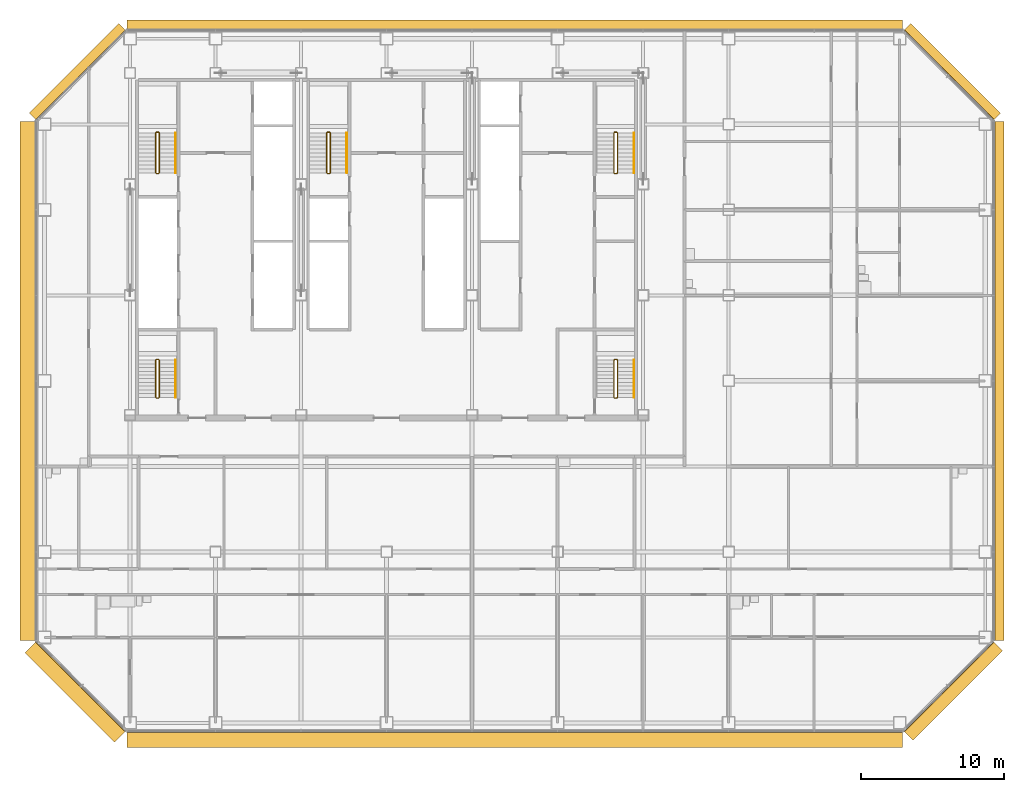
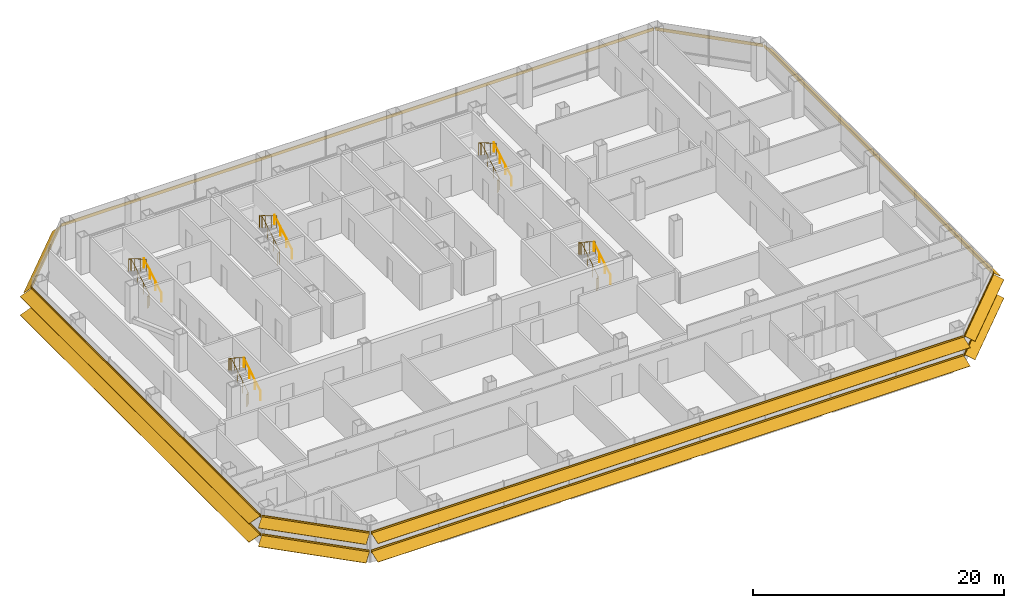
# One storey, part 26 of 27: 10 railings, 8 shading devices.
"""IFC4 building model written with IfcOpenShell, lengths in metres."""

from ifc_helpers import new_model, si_unit, direction, frame, origin, origin_2d, place, context, subcontext, project, spatial, polyline, circle, outline, composite_profile, extrude, material, type_object, element, save


model = new_model("IFC4")

# Units and contexts
model_context = context("Model", 3, precision=1e-05, world=origin(), true_north=direction((0.0, 1.0)))
body_context = subcontext(model_context, "Body", "Model", "MODEL_VIEW")
ifc_project = project(units=[si_unit("LENGTHUNIT", "METRE"), si_unit("AREAUNIT", "SQUARE_METRE"), si_unit("VOLUMEUNIT", "CUBIC_METRE"), si_unit("PLANEANGLEUNIT", "RADIAN"), si_unit("MASSUNIT", "GRAM", prefix="KILO")], contexts=[model_context])

# Site, building, storey
site_placement = place(None, origin())
site = spatial("IfcSite", under=ifc_project, at=site_placement, CompositionType="ELEMENT")
building_placement = place(site_placement, origin())
building = spatial("IfcBuilding", under=site, at=building_placement, Name="Sorahane Residences", CompositionType="ELEMENT")
storey_placement = place(building_placement, frame((0.0, 0.0, 75.0)))
storey = spatial("IfcBuildingStorey", under=building, at=storey_placement, Name="L15", CompositionType="ELEMENT", Elevation=75.0)

# Shading devices
ifc_material_1 = material(Name="Terracotta anodised aluminium", Category="masonry")
shading_device_type_1 = type_object("IfcShadingDeviceType", Name="Louvre sunshade blade E terracotta aluminium 700", PredefinedType="JALOUSIE", material=ifc_material_1)
shading_device_1_placement = place(storey_placement, frame((66.60009765625, 5.801513671875, 2.699951171875), z_axis=(0.0, 1.0, 0.0), x_axis=(-1.0, 0.0, 0.0)))
element("IfcShadingDevice", 1, at=shading_device_1_placement, inside=storey, type_object=shading_device_type_1, Name="Louvre sunshade blade bank E L15 E1", PredefinedType="JALOUSIE", context=body_context, shape_type="SweptSolid", body=[
    extrude(outline(polyline([(-0.719970703125, -0.49365234375), (-0.719970703125, -0.523681640625), (-0.080078125, -0.05859375), (-0.080078125, -0.14990234375), (-0.02001953125, -0.14990234375), (-0.02001953125, -0.014892578125), (-0.02001953125, 0.014892578125), (-0.02001953125, 0.14990234375), (-0.080078125, 0.14990234375), (-0.080078125, -0.028564453125), (-0.719970703125, -0.49365234375)])), origin(), (0.0, 0.0, 1.0), 36.39697265625),
])
ifc_material_2 = material(Name="Terracotta anodised aluminium", Category="masonry")
shading_device_type_2 = type_object("IfcShadingDeviceType", Name="Louvre sunshade blade N terracotta aluminium 700", PredefinedType="JALOUSIE", material=ifc_material_2)
shading_device_2_placement = place(storey_placement, frame((60.198486328125, 48.60009765625, 2.699951171875), z_axis=(-1.0, 0.0, 0.0), x_axis=(0.0, -1.0, 0.0)))
element("IfcShadingDevice", 2, at=shading_device_2_placement, inside=storey, type_object=shading_device_type_2, Name="Louvre sunshade blade bank N L15 N1", PredefinedType="JALOUSIE", context=body_context, shape_type="SweptSolid", body=[
    extrude(outline(polyline([(-0.719970703125, -0.660888671875), (-0.719970703125, -0.69091796875), (-0.080078125, -0.072998046875), (-0.080078125, -0.14990234375), (-0.02001953125, -0.14990234375), (-0.02001953125, -0.014892578125), (-0.02001953125, 0.014892578125), (-0.02001953125, 0.14990234375), (-0.080078125, 0.14990234375), (-0.080078125, -0.04296875), (-0.719970703125, -0.660888671875)])), origin(), (0.0, 0.0, 1.0), 54.39697265625),
])
ifc_material_3 = material(Name="Terracotta anodised aluminium", Category="masonry")
shading_device_type_3 = type_object("IfcShadingDeviceType", Name="Louvre sunshade blade NE terracotta aluminium 700", PredefinedType="JALOUSIE", material=ifc_material_3)
shading_device_3_placement = place(storey_placement, frame((66.564697265625, 42.283935546875, 2.699951171875), z_axis=(-0.707106781187, 0.707106781187, 0.0), x_axis=(-0.707106781187, -0.707106781187, 0.0)))
element("IfcShadingDevice", 3, at=shading_device_3_placement, inside=storey, type_object=shading_device_type_3, Name="Louvre sunshade blade bank NE L15 NE1", PredefinedType="JALOUSIE", context=body_context, shape_type="SweptSolid", body=[
    extrude(outline(polyline([(-0.719970703125, -0.572509765625), (-0.719970703125, -0.602294921875), (-0.080078125, -0.065185546875), (-0.080078125, -0.14990234375), (-0.02001953125, -0.14990234375), (-0.02001953125, -0.014892578125), (-0.02001953125, 0.014892578125), (-0.02001953125, 0.14990234375), (-0.080078125, 0.14990234375), (-0.080078125, -0.035400390625), (-0.719970703125, -0.572509765625)])), origin(), (0.0, 0.0, 1.0), 8.88232421875),
])
ifc_material_4 = material(Name="Terracotta anodised aluminium", Category="masonry")
shading_device_type_4 = type_object("IfcShadingDeviceType", Name="Louvre sunshade blade NW terracotta aluminium 700", PredefinedType="JALOUSIE", material=ifc_material_4)
shading_device_4_placement = place(storey_placement, frame((5.716064453125, 48.564697265625, 2.699951171875), z_axis=(-0.707106781187, -0.707106781187, 0.0), x_axis=(0.707106781187, -0.707106781187, 0.0)))
element("IfcShadingDevice", 4, at=shading_device_4_placement, inside=storey, type_object=shading_device_type_4, Name="Louvre sunshade blade bank NW L15 NW1", PredefinedType="JALOUSIE", context=body_context, shape_type="SweptSolid", body=[
    extrude(outline(polyline([(-0.719970703125, -0.660888671875), (-0.719970703125, -0.69091796875), (-0.080078125, -0.072998046875), (-0.080078125, -0.14990234375), (-0.02001953125, -0.14990234375), (-0.02001953125, -0.014892578125), (-0.02001953125, 0.014892578125), (-0.02001953125, 0.14990234375), (-0.080078125, 0.14990234375), (-0.080078125, -0.04296875), (-0.719970703125, -0.660888671875)])), origin(), (0.0, 0.0, 1.0), 8.88232421875),
])
ifc_material_5 = material(Name="Terracotta anodised aluminium", Category="masonry")
shading_device_type_5 = type_object("IfcShadingDeviceType", Name="Louvre sunshade blade S terracotta aluminium 1100", PredefinedType="JALOUSIE", material=ifc_material_5)
shading_device_5_placement = place(storey_placement, frame((5.801513671875, -0.60009765625, 0.89990234375), z_axis=(1.0, 0.0, 0.0), x_axis=(0.0, 1.0, 0.0)))
element("IfcShadingDevice", 5, at=shading_device_5_placement, inside=storey, type_object=shading_device_type_5, Name="Louvre sunshade blade bank S L15 S1", PredefinedType="JALOUSIE", context=body_context, shape_type="SweptSolid", body=[
    extrude(composite_profile([outline(polyline([(-1.1201171875, -0.385498046875), (-1.1201171875, -0.415283203125), (-0.080078125, -0.036865234375), (-0.080078125, -0.14990234375), (-0.02001953125, -0.14990234375), (-0.02001953125, -0.014892578125), (-0.02001953125, 0.014892578125), (-0.02001953125, 0.14990234375), (-0.080078125, 0.14990234375), (-0.080078125, -0.0068359375), (-1.1201171875, -0.385498046875)])), outline(polyline([(-1.1201171875, 1.41455078125), (-1.1201171875, 1.384521484375), (-0.080078125, 1.76318359375), (-0.080078125, 1.64990234375), (-0.02001953125, 1.64990234375), (-0.02001953125, 1.784912109375), (-0.02001953125, 1.81494140625), (-0.02001953125, 1.949951171875), (-0.080078125, 1.949951171875), (-0.080078125, 1.793212890625), (-1.1201171875, 1.41455078125)]))]), origin(), (0.0, 0.0, 1.0), 54.39697265625),
])
ifc_material_6 = material(Name="Terracotta anodised aluminium", Category="masonry")
shading_device_type_6 = type_object("IfcShadingDeviceType", Name="Louvre sunshade blade SE terracotta aluminium 900", PredefinedType="JALOUSIE", material=ifc_material_6)
shading_device_6_placement = place(storey_placement, frame((60.283935546875, -0.564697265625, 0.89990234375), z_axis=(0.707106781187, 0.707106781187, 0.0), x_axis=(-0.707106781187, 0.707106781187, 0.0)))
element("IfcShadingDevice", 6, at=shading_device_6_placement, inside=storey, type_object=shading_device_type_6, Name="Louvre sunshade blade bank SE L15 SE1", PredefinedType="JALOUSIE", context=body_context, shape_type="SweptSolid", body=[
    extrude(composite_profile([outline(polyline([(-0.919921875, -0.3486328125), (-0.919921875, -0.378662109375), (-0.080078125, -0.039306640625), (-0.080078125, -0.14990234375), (-0.02001953125, -0.14990234375), (-0.02001953125, -0.014892578125), (-0.02001953125, 0.014892578125), (-0.02001953125, 0.14990234375), (-0.080078125, 0.14990234375), (-0.080078125, -0.00927734375), (-0.919921875, -0.3486328125)])), outline(polyline([(-0.919921875, 1.451416015625), (-0.919921875, 1.42138671875), (-0.080078125, 1.7607421875), (-0.080078125, 1.64990234375), (-0.02001953125, 1.64990234375), (-0.02001953125, 1.784912109375), (-0.02001953125, 1.81494140625), (-0.02001953125, 1.949951171875), (-0.080078125, 1.949951171875), (-0.080078125, 1.790771484375), (-0.919921875, 1.451416015625)]))]), origin(), (0.0, 0.0, 1.0), 8.88232421875),
])
ifc_material_7 = material(Name="Terracotta anodised aluminium", Category="masonry")
shading_device_type_7 = type_object("IfcShadingDeviceType", Name="Louvre sunshade blade SW terracotta aluminium 1100", PredefinedType="JALOUSIE", material=ifc_material_7)
shading_device_7_placement = place(storey_placement, frame((-0.564697265625, 5.716064453125, 0.89990234375), z_axis=(0.707106781187, -0.707106781187, 0.0), x_axis=(0.707106781187, 0.707106781187, 0.0)))
element("IfcShadingDevice", 7, at=shading_device_7_placement, inside=storey, type_object=shading_device_type_7, Name="Louvre sunshade blade bank SW L15 SW1", PredefinedType="JALOUSIE", context=body_context, shape_type="SweptSolid", body=[
    extrude(composite_profile([outline(polyline([(-1.1201171875, -0.385498046875), (-1.1201171875, -0.415283203125), (-0.080078125, -0.036865234375), (-0.080078125, -0.14990234375), (-0.02001953125, -0.14990234375), (-0.02001953125, -0.014892578125), (-0.02001953125, 0.014892578125), (-0.02001953125, 0.14990234375), (-0.080078125, 0.14990234375), (-0.080078125, -0.0068359375), (-1.1201171875, -0.385498046875)])), outline(polyline([(-1.1201171875, 1.41455078125), (-1.1201171875, 1.384521484375), (-0.080078125, 1.76318359375), (-0.080078125, 1.64990234375), (-0.02001953125, 1.64990234375), (-0.02001953125, 1.784912109375), (-0.02001953125, 1.81494140625), (-0.02001953125, 1.949951171875), (-0.080078125, 1.949951171875), (-0.080078125, 1.793212890625), (-1.1201171875, 1.41455078125)]))]), origin(), (0.0, 0.0, 1.0), 8.88232421875),
])
ifc_material_8 = material(Name="Terracotta anodised aluminium", Category="masonry")
shading_device_type_8 = type_object("IfcShadingDeviceType", Name="Louvre sunshade blade W terracotta aluminium 1100", PredefinedType="JALOUSIE", material=ifc_material_8)
shading_device_8_placement = place(storey_placement, frame((-0.60009765625, 42.198486328125, 0.89990234375), z_axis=(0.0, -1.0, 0.0), x_axis=(1.0, 0.0, 0.0)))
element("IfcShadingDevice", 8, at=shading_device_8_placement, inside=storey, type_object=shading_device_type_8, Name="Louvre sunshade blade bank W L15 W1", PredefinedType="JALOUSIE", context=body_context, shape_type="SweptSolid", body=[
    extrude(composite_profile([outline(polyline([(-1.1201171875, -0.385498046875), (-1.1201171875, -0.415283203125), (-0.080078125, -0.036865234375), (-0.080078125, -0.14990234375), (-0.02001953125, -0.14990234375), (-0.02001953125, -0.014892578125), (-0.02001953125, 0.014892578125), (-0.02001953125, 0.14990234375), (-0.080078125, 0.14990234375), (-0.080078125, -0.0068359375), (-1.1201171875, -0.385498046875)])), outline(polyline([(-1.1201171875, 1.41455078125), (-1.1201171875, 1.384521484375), (-0.080078125, 1.76318359375), (-0.080078125, 1.64990234375), (-0.02001953125, 1.64990234375), (-0.02001953125, 1.784912109375), (-0.02001953125, 1.81494140625), (-0.02001953125, 1.949951171875), (-0.080078125, 1.949951171875), (-0.080078125, 1.793212890625), (-1.1201171875, 1.41455078125)]))]), origin(), (0.0, 0.0, 1.0), 36.39697265625),
])

# Railings
ifc_material_9 = material(Name="Steel Q355B", Category="steel")
railing_type_1 = type_object("IfcRailingType", Name="Stair guard 1200 Steel Q355B", PredefinedType="GUARDRAIL", material=ifc_material_9)
railing_1_placement = place(storey_placement, frame((7.85009765625, 38.550048828125, 0.0)))
element("IfcRailing", 9, at=railing_1_placement, inside=storey, type_object=railing_type_1, Name="L15 S1 stair guard 1", PredefinedType="GUARDRAIL", context=body_context, shape_type="SweptSolid", body=[
    extrude(circle(Radius=0.02392578125, at=origin_2d()), frame((0.0, 0.0, 1.17578125), z_axis=(1.0, 0.0, 0.0), x_axis=(0.0, 1.0, 0.0)), (0.0, 0.0, 1.0), 0.14990234375),
    extrude(circle(Radius=0.02392578125, at=origin_2d()), frame((0.14990234375, 0.0, 1.17578125), z_axis=(0.280808744504, 0.280808744504, 0.917765164963), x_axis=(-0.707106781187, 0.707106781187, 0.0)), (0.0, 0.0, 1.0), 0.17822265625),
    extrude(circle(Radius=0.02392578125, at=origin_2d()), frame((0.199951171875, 0.050048828125, 1.33935546875), z_axis=(0.0, 0.863341702679, 0.504619762213), x_axis=(-1.0, 0.0, 0.0)), (0.0, 0.0, 1.0), 3.242919921875),
    extrude(circle(Radius=0.02392578125, at=origin_2d()), frame((0.199951171875, 2.849853515625, 2.97607421875), z_axis=(-0.707106781187, 0.707106781187, 0.0), x_axis=(-0.707106781187, -0.707106781187, 0.0)), (0.0, 0.0, 1.0), 0.07080078125),
    extrude(circle(Radius=0.02392578125, at=origin_2d()), frame((0.14990234375, 2.89990234375, 2.97607421875), z_axis=(-1.0, 0.0, 0.0), x_axis=(0.0, -1.0, 0.0)), (0.0, 0.0, 1.0), 0.14990234375),
    extrude(circle(Radius=0.02392578125, at=origin_2d()), frame((0.0, 2.89990234375, 2.97607421875), z_axis=(-0.280808744504, -0.280808744504, 0.917765164963), x_axis=(0.707106781187, -0.707106781187, 0.0)), (0.0, 0.0, 1.0), 0.17822265625),
    extrude(circle(Radius=0.02392578125, at=origin_2d()), frame((-0.050048828125, 2.849853515625, 3.1396484375), z_axis=(0.0, -0.863341702679, 0.504619762213), x_axis=(1.0, 0.0, 0.0)), (0.0, 0.0, 1.0), 3.242919921875),
    extrude(circle(Radius=0.02099609375, at=origin_2d()), origin(), (0.0, 0.0, 1.0), 1.15185546875),
    extrude(circle(Radius=0.02099609375, at=origin_2d()), frame((0.14990234375, 0.0, 0.0)), (0.0, 0.0, 1.0), 1.15185546875),
    extrude(circle(Radius=0.02099609375, at=origin_2d()), frame((0.199951171875, 0.050048828125, 0.16357421875)), (0.0, 0.0, 1.0), 1.15185546875),
    extrude(circle(Radius=0.02099609375, at=origin_2d()), frame((0.199951171875, 0.9833984375, 0.708984375)), (0.0, 0.0, 1.0), 1.15185546875),
    extrude(circle(Radius=0.02099609375, at=origin_2d()), frame((0.199951171875, 1.91650390625, 1.254638671875)), (0.0, 0.0, 1.0), 1.15185546875),
    extrude(circle(Radius=0.02099609375, at=origin_2d()), frame((0.199951171875, 2.849853515625, 1.800048828125)), (0.0, 0.0, 1.0), 1.15185546875),
    extrude(circle(Radius=0.02099609375, at=origin_2d()), frame((0.14990234375, 2.89990234375, 1.800048828125)), (0.0, 0.0, 1.0), 1.15185546875),
    extrude(circle(Radius=0.02099609375, at=origin_2d()), frame((0.0, 2.89990234375, 1.800048828125)), (0.0, 0.0, 1.0), 1.15185546875),
    extrude(circle(Radius=0.02099609375, at=origin_2d()), frame((-0.050048828125, 2.849853515625, 1.963623046875)), (0.0, 0.0, 1.0), 1.15185546875),
    extrude(circle(Radius=0.02099609375, at=origin_2d()), frame((-0.050048828125, 1.91650390625, 2.509033203125)), (0.0, 0.0, 1.0), 1.15185546875),
    extrude(circle(Radius=0.02099609375, at=origin_2d()), frame((-0.050048828125, 0.9833984375, 3.0546875)), (0.0, 0.0, 1.0), 1.15185546875),
    extrude(circle(Radius=0.02099609375, at=origin_2d()), frame((-0.050048828125, 0.050048828125, 3.60009765625)), (0.0, 0.0, 1.0), 1.15185546875),
])
railing_2_placement = place(storey_placement, frame((40.0, 38.550048828125, 0.0)))
element("IfcRailing", 10, at=railing_2_placement, inside=storey, type_object=railing_type_1, Name="L15 S2 stair guard 1", PredefinedType="GUARDRAIL", context=body_context, shape_type="SweptSolid", body=[
    extrude(circle(Radius=0.02392578125, at=origin_2d()), frame((0.0, 0.0, 1.17578125), z_axis=(1.0, 0.0, 0.0), x_axis=(0.0, 1.0, 0.0)), (0.0, 0.0, 1.0), 0.14990234375),
    extrude(circle(Radius=0.02392578125, at=origin_2d()), frame((0.14990234375, 0.0, 1.17578125), z_axis=(0.280808744504, 0.280808744504, 0.917765164963), x_axis=(-0.707106781187, 0.707106781187, 0.0)), (0.0, 0.0, 1.0), 0.17822265625),
    extrude(circle(Radius=0.02392578125, at=origin_2d()), frame((0.199951171875, 0.050048828125, 1.33935546875), z_axis=(0.0, 0.863341702679, 0.504619762213), x_axis=(-1.0, 0.0, 0.0)), (0.0, 0.0, 1.0), 3.242919921875),
    extrude(circle(Radius=0.02392578125, at=origin_2d()), frame((0.199951171875, 2.849853515625, 2.97607421875), z_axis=(-0.707106781187, 0.707106781187, 0.0), x_axis=(-0.707106781187, -0.707106781187, 0.0)), (0.0, 0.0, 1.0), 0.07080078125),
    extrude(circle(Radius=0.02392578125, at=origin_2d()), frame((0.14990234375, 2.89990234375, 2.97607421875), z_axis=(-1.0, 0.0, 0.0), x_axis=(0.0, -1.0, 0.0)), (0.0, 0.0, 1.0), 0.14990234375),
    extrude(circle(Radius=0.02392578125, at=origin_2d()), frame((0.0, 2.89990234375, 2.97607421875), z_axis=(-0.280808744504, -0.280808744504, 0.917765164963), x_axis=(0.707106781187, -0.707106781187, 0.0)), (0.0, 0.0, 1.0), 0.17822265625),
    extrude(circle(Radius=0.02392578125, at=origin_2d()), frame((-0.050048828125, 2.849853515625, 3.1396484375), z_axis=(0.0, -0.863341702679, 0.504619762213), x_axis=(1.0, 0.0, 0.0)), (0.0, 0.0, 1.0), 3.242919921875),
    extrude(circle(Radius=0.02099609375, at=origin_2d()), origin(), (0.0, 0.0, 1.0), 1.15185546875),
    extrude(circle(Radius=0.02099609375, at=origin_2d()), frame((0.14990234375, 0.0, 0.0)), (0.0, 0.0, 1.0), 1.15185546875),
    extrude(circle(Radius=0.02099609375, at=origin_2d()), frame((0.199951171875, 0.050048828125, 0.16357421875)), (0.0, 0.0, 1.0), 1.15185546875),
    extrude(circle(Radius=0.02099609375, at=origin_2d()), frame((0.199951171875, 0.9833984375, 0.708984375)), (0.0, 0.0, 1.0), 1.15185546875),
    extrude(circle(Radius=0.02099609375, at=origin_2d()), frame((0.199951171875, 1.91650390625, 1.254638671875)), (0.0, 0.0, 1.0), 1.15185546875),
    extrude(circle(Radius=0.02099609375, at=origin_2d()), frame((0.199951171875, 2.849853515625, 1.800048828125)), (0.0, 0.0, 1.0), 1.15185546875),
    extrude(circle(Radius=0.02099609375, at=origin_2d()), frame((0.14990234375, 2.89990234375, 1.800048828125)), (0.0, 0.0, 1.0), 1.15185546875),
    extrude(circle(Radius=0.02099609375, at=origin_2d()), frame((0.0, 2.89990234375, 1.800048828125)), (0.0, 0.0, 1.0), 1.15185546875),
    extrude(circle(Radius=0.02099609375, at=origin_2d()), frame((-0.050048828125, 2.849853515625, 1.963623046875)), (0.0, 0.0, 1.0), 1.15185546875),
    extrude(circle(Radius=0.02099609375, at=origin_2d()), frame((-0.050048828125, 1.91650390625, 2.509033203125)), (0.0, 0.0, 1.0), 1.15185546875),
    extrude(circle(Radius=0.02099609375, at=origin_2d()), frame((-0.050048828125, 0.9833984375, 3.0546875)), (0.0, 0.0, 1.0), 1.15185546875),
    extrude(circle(Radius=0.02099609375, at=origin_2d()), frame((-0.050048828125, 0.050048828125, 3.60009765625)), (0.0, 0.0, 1.0), 1.15185546875),
])
railing_3_placement = place(storey_placement, frame((19.85009765625, 38.550048828125, 0.0)))
element("IfcRailing", 11, at=railing_3_placement, inside=storey, type_object=railing_type_1, Name="L15 S3 stair guard 1", PredefinedType="GUARDRAIL", context=body_context, shape_type="SweptSolid", body=[
    extrude(circle(Radius=0.02392578125, at=origin_2d()), frame((0.0, 0.0, 1.17578125), z_axis=(1.0, 0.0, 0.0), x_axis=(0.0, 1.0, 0.0)), (0.0, 0.0, 1.0), 0.14990234375),
    extrude(circle(Radius=0.02392578125, at=origin_2d()), frame((0.14990234375, 0.0, 1.17578125), z_axis=(0.280808744504, 0.280808744504, 0.917765164963), x_axis=(-0.707106781187, 0.707106781187, 0.0)), (0.0, 0.0, 1.0), 0.17822265625),
    extrude(circle(Radius=0.02392578125, at=origin_2d()), frame((0.199951171875, 0.050048828125, 1.33935546875), z_axis=(0.0, 0.863341702679, 0.504619762213), x_axis=(-1.0, 0.0, 0.0)), (0.0, 0.0, 1.0), 3.242919921875),
    extrude(circle(Radius=0.02392578125, at=origin_2d()), frame((0.199951171875, 2.849853515625, 2.97607421875), z_axis=(-0.707106781187, 0.707106781187, 0.0), x_axis=(-0.707106781187, -0.707106781187, 0.0)), (0.0, 0.0, 1.0), 0.07080078125),
    extrude(circle(Radius=0.02392578125, at=origin_2d()), frame((0.14990234375, 2.89990234375, 2.97607421875), z_axis=(-1.0, 0.0, 0.0), x_axis=(0.0, -1.0, 0.0)), (0.0, 0.0, 1.0), 0.14990234375),
    extrude(circle(Radius=0.02392578125, at=origin_2d()), frame((0.0, 2.89990234375, 2.97607421875), z_axis=(-0.280808744504, -0.280808744504, 0.917765164963), x_axis=(0.707106781187, -0.707106781187, 0.0)), (0.0, 0.0, 1.0), 0.17822265625),
    extrude(circle(Radius=0.02392578125, at=origin_2d()), frame((-0.050048828125, 2.849853515625, 3.1396484375), z_axis=(0.0, -0.863341702679, 0.504619762213), x_axis=(1.0, 0.0, 0.0)), (0.0, 0.0, 1.0), 3.242919921875),
    extrude(circle(Radius=0.02099609375, at=origin_2d()), origin(), (0.0, 0.0, 1.0), 1.15185546875),
    extrude(circle(Radius=0.02099609375, at=origin_2d()), frame((0.14990234375, 0.0, 0.0)), (0.0, 0.0, 1.0), 1.15185546875),
    extrude(circle(Radius=0.02099609375, at=origin_2d()), frame((0.199951171875, 0.050048828125, 0.16357421875)), (0.0, 0.0, 1.0), 1.15185546875),
    extrude(circle(Radius=0.02099609375, at=origin_2d()), frame((0.199951171875, 0.9833984375, 0.708984375)), (0.0, 0.0, 1.0), 1.15185546875),
    extrude(circle(Radius=0.02099609375, at=origin_2d()), frame((0.199951171875, 1.91650390625, 1.254638671875)), (0.0, 0.0, 1.0), 1.15185546875),
    extrude(circle(Radius=0.02099609375, at=origin_2d()), frame((0.199951171875, 2.849853515625, 1.800048828125)), (0.0, 0.0, 1.0), 1.15185546875),
    extrude(circle(Radius=0.02099609375, at=origin_2d()), frame((0.14990234375, 2.89990234375, 1.800048828125)), (0.0, 0.0, 1.0), 1.15185546875),
    extrude(circle(Radius=0.02099609375, at=origin_2d()), frame((0.0, 2.89990234375, 1.800048828125)), (0.0, 0.0, 1.0), 1.15185546875),
    extrude(circle(Radius=0.02099609375, at=origin_2d()), frame((-0.050048828125, 2.849853515625, 1.963623046875)), (0.0, 0.0, 1.0), 1.15185546875),
    extrude(circle(Radius=0.02099609375, at=origin_2d()), frame((-0.050048828125, 1.91650390625, 2.509033203125)), (0.0, 0.0, 1.0), 1.15185546875),
    extrude(circle(Radius=0.02099609375, at=origin_2d()), frame((-0.050048828125, 0.9833984375, 3.0546875)), (0.0, 0.0, 1.0), 1.15185546875),
    extrude(circle(Radius=0.02099609375, at=origin_2d()), frame((-0.050048828125, 0.050048828125, 3.60009765625)), (0.0, 0.0, 1.0), 1.15185546875),
])
railing_4_placement = place(storey_placement, frame((7.85009765625, 22.800048828125, 0.0)))
element("IfcRailing", 12, at=railing_4_placement, inside=storey, type_object=railing_type_1, Name="L15 S4 stair guard 1", PredefinedType="GUARDRAIL", context=body_context, shape_type="SweptSolid", body=[
    extrude(circle(Radius=0.02392578125, at=origin_2d()), frame((0.0, 0.0, 1.17578125), z_axis=(1.0, 0.0, 0.0), x_axis=(0.0, 1.0, 0.0)), (0.0, 0.0, 1.0), 0.14990234375),
    extrude(circle(Radius=0.02392578125, at=origin_2d()), frame((0.14990234375, 0.0, 1.17578125), z_axis=(0.280808744504, 0.280808744504, 0.917765164963), x_axis=(-0.707106781187, 0.707106781187, 0.0)), (0.0, 0.0, 1.0), 0.17822265625),
    extrude(circle(Radius=0.02392578125, at=origin_2d()), frame((0.199951171875, 0.050048828125, 1.33935546875), z_axis=(0.0, 0.846301844409, 0.532703658848), x_axis=(-1.0, 0.0, 0.0)), (0.0, 0.0, 1.0), 3.072021484375),
    extrude(circle(Radius=0.02392578125, at=origin_2d()), frame((0.199951171875, 2.64990234375, 2.97607421875), z_axis=(-0.707106781187, 0.707106781187, 0.0), x_axis=(-0.707106781187, -0.707106781187, 0.0)), (0.0, 0.0, 1.0), 0.07080078125),
    extrude(circle(Radius=0.02392578125, at=origin_2d()), frame((0.14990234375, 2.699951171875, 2.97607421875), z_axis=(-1.0, 0.0, 0.0), x_axis=(0.0, -1.0, 0.0)), (0.0, 0.0, 1.0), 0.14990234375),
    extrude(circle(Radius=0.02392578125, at=origin_2d()), frame((0.0, 2.699951171875, 2.97607421875), z_axis=(-0.280808744504, -0.280808744504, 0.917765164963), x_axis=(0.707106781187, -0.707106781187, 0.0)), (0.0, 0.0, 1.0), 0.17822265625),
    extrude(circle(Radius=0.02392578125, at=origin_2d()), frame((-0.050048828125, 2.64990234375, 3.1396484375), z_axis=(0.0, -0.846301844409, 0.532703658848), x_axis=(1.0, 0.0, 0.0)), (0.0, 0.0, 1.0), 3.072021484375),
    extrude(circle(Radius=0.02099609375, at=origin_2d()), origin(), (0.0, 0.0, 1.0), 1.15185546875),
    extrude(circle(Radius=0.02099609375, at=origin_2d()), frame((0.14990234375, 0.0, 0.0)), (0.0, 0.0, 1.0), 1.15185546875),
    extrude(circle(Radius=0.02099609375, at=origin_2d()), frame((0.199951171875, 0.050048828125, 0.16357421875)), (0.0, 0.0, 1.0), 1.15185546875),
    extrude(circle(Radius=0.02099609375, at=origin_2d()), frame((0.199951171875, 0.916748046875, 0.708984375)), (0.0, 0.0, 1.0), 1.15185546875),
    extrude(circle(Radius=0.02099609375, at=origin_2d()), frame((0.199951171875, 1.783203125, 1.254638671875)), (0.0, 0.0, 1.0), 1.15185546875),
    extrude(circle(Radius=0.02099609375, at=origin_2d()), frame((0.199951171875, 2.64990234375, 1.800048828125)), (0.0, 0.0, 1.0), 1.15185546875),
    extrude(circle(Radius=0.02099609375, at=origin_2d()), frame((0.14990234375, 2.699951171875, 1.800048828125)), (0.0, 0.0, 1.0), 1.15185546875),
    extrude(circle(Radius=0.02099609375, at=origin_2d()), frame((0.0, 2.699951171875, 1.800048828125)), (0.0, 0.0, 1.0), 1.15185546875),
    extrude(circle(Radius=0.02099609375, at=origin_2d()), frame((-0.050048828125, 2.64990234375, 1.963623046875)), (0.0, 0.0, 1.0), 1.15185546875),
    extrude(circle(Radius=0.02099609375, at=origin_2d()), frame((-0.050048828125, 1.783203125, 2.509033203125)), (0.0, 0.0, 1.0), 1.15185546875),
    extrude(circle(Radius=0.02099609375, at=origin_2d()), frame((-0.050048828125, 0.916748046875, 3.0546875)), (0.0, 0.0, 1.0), 1.15185546875),
    extrude(circle(Radius=0.02099609375, at=origin_2d()), frame((-0.050048828125, 0.050048828125, 3.60009765625)), (0.0, 0.0, 1.0), 1.15185546875),
])
railing_5_placement = place(storey_placement, frame((40.0, 22.800048828125, 0.0)))
element("IfcRailing", 13, at=railing_5_placement, inside=storey, type_object=railing_type_1, Name="L15 S5 stair guard 1", PredefinedType="GUARDRAIL", context=body_context, shape_type="SweptSolid", body=[
    extrude(circle(Radius=0.02392578125, at=origin_2d()), frame((0.0, 0.0, 1.17578125), z_axis=(1.0, 0.0, 0.0), x_axis=(0.0, 1.0, 0.0)), (0.0, 0.0, 1.0), 0.14990234375),
    extrude(circle(Radius=0.02392578125, at=origin_2d()), frame((0.14990234375, 0.0, 1.17578125), z_axis=(0.280808744504, 0.280808744504, 0.917765164963), x_axis=(-0.707106781187, 0.707106781187, 0.0)), (0.0, 0.0, 1.0), 0.17822265625),
    extrude(circle(Radius=0.02392578125, at=origin_2d()), frame((0.199951171875, 0.050048828125, 1.33935546875), z_axis=(0.0, 0.846301844409, 0.532703658848), x_axis=(-1.0, 0.0, 0.0)), (0.0, 0.0, 1.0), 3.072021484375),
    extrude(circle(Radius=0.02392578125, at=origin_2d()), frame((0.199951171875, 2.64990234375, 2.97607421875), z_axis=(-0.707106781187, 0.707106781187, 0.0), x_axis=(-0.707106781187, -0.707106781187, 0.0)), (0.0, 0.0, 1.0), 0.07080078125),
    extrude(circle(Radius=0.02392578125, at=origin_2d()), frame((0.14990234375, 2.699951171875, 2.97607421875), z_axis=(-1.0, 0.0, 0.0), x_axis=(0.0, -1.0, 0.0)), (0.0, 0.0, 1.0), 0.14990234375),
    extrude(circle(Radius=0.02392578125, at=origin_2d()), frame((0.0, 2.699951171875, 2.97607421875), z_axis=(-0.280808744504, -0.280808744504, 0.917765164963), x_axis=(0.707106781187, -0.707106781187, 0.0)), (0.0, 0.0, 1.0), 0.17822265625),
    extrude(circle(Radius=0.02392578125, at=origin_2d()), frame((-0.050048828125, 2.64990234375, 3.1396484375), z_axis=(0.0, -0.846301844409, 0.532703658848), x_axis=(1.0, 0.0, 0.0)), (0.0, 0.0, 1.0), 3.072021484375),
    extrude(circle(Radius=0.02099609375, at=origin_2d()), origin(), (0.0, 0.0, 1.0), 1.15185546875),
    extrude(circle(Radius=0.02099609375, at=origin_2d()), frame((0.14990234375, 0.0, 0.0)), (0.0, 0.0, 1.0), 1.15185546875),
    extrude(circle(Radius=0.02099609375, at=origin_2d()), frame((0.199951171875, 0.050048828125, 0.16357421875)), (0.0, 0.0, 1.0), 1.15185546875),
    extrude(circle(Radius=0.02099609375, at=origin_2d()), frame((0.199951171875, 0.916748046875, 0.708984375)), (0.0, 0.0, 1.0), 1.15185546875),
    extrude(circle(Radius=0.02099609375, at=origin_2d()), frame((0.199951171875, 1.783203125, 1.254638671875)), (0.0, 0.0, 1.0), 1.15185546875),
    extrude(circle(Radius=0.02099609375, at=origin_2d()), frame((0.199951171875, 2.64990234375, 1.800048828125)), (0.0, 0.0, 1.0), 1.15185546875),
    extrude(circle(Radius=0.02099609375, at=origin_2d()), frame((0.14990234375, 2.699951171875, 1.800048828125)), (0.0, 0.0, 1.0), 1.15185546875),
    extrude(circle(Radius=0.02099609375, at=origin_2d()), frame((0.0, 2.699951171875, 1.800048828125)), (0.0, 0.0, 1.0), 1.15185546875),
    extrude(circle(Radius=0.02099609375, at=origin_2d()), frame((-0.050048828125, 2.64990234375, 1.963623046875)), (0.0, 0.0, 1.0), 1.15185546875),
    extrude(circle(Radius=0.02099609375, at=origin_2d()), frame((-0.050048828125, 1.783203125, 2.509033203125)), (0.0, 0.0, 1.0), 1.15185546875),
    extrude(circle(Radius=0.02099609375, at=origin_2d()), frame((-0.050048828125, 0.916748046875, 3.0546875)), (0.0, 0.0, 1.0), 1.15185546875),
    extrude(circle(Radius=0.02099609375, at=origin_2d()), frame((-0.050048828125, 0.050048828125, 3.60009765625)), (0.0, 0.0, 1.0), 1.15185546875),
])
ifc_material_10 = material(Name="Steel Q355B", Category="steel")
railing_type_2 = type_object("IfcRailingType", Name="Stair handrail 900 Steel Q355B", PredefinedType="HANDRAIL", material=ifc_material_10)
for number, where, name in (
    (14, (9.199951171875, 38.60009765625, 0.16357421875), "L15 S1 stair handrail 1"),
    (15, (41.35009765625, 38.60009765625, 0.16357421875), "L15 S2 stair handrail 1"),
    (16, (21.199951171875, 38.60009765625, 0.16357421875), "L15 S3 stair handrail 1"),
):
    element("IfcRailing", number, at=place(storey_placement, frame(where)), inside=storey, type_object=railing_type_2, Name=name, PredefinedType="HANDRAIL", context=body_context, shape_type="SweptSolid", body=[
        extrude(circle(Radius=0.02392578125, at=origin_2d()), frame((0.0, 0.0, 0.8759765625), z_axis=(0.0, 0.863341702679, 0.504619762213), x_axis=(-1.0, 0.0, 0.0)), (0.0, 0.0, 1.0), 3.242919921875),
        extrude(circle(Radius=0.02099609375, at=origin_2d()), origin(), (0.0, 0.0, 1.0), 0.851806640625),
        extrude(circle(Radius=0.02099609375, at=origin_2d()), frame((0.0, 0.933349609375, 0.54541015625)), (0.0, 0.0, 1.0), 0.851806640625),
        extrude(circle(Radius=0.02099609375, at=origin_2d()), frame((0.0, 1.866455078125, 1.091064453125)), (0.0, 0.0, 1.0), 0.851806640625),
        extrude(circle(Radius=0.02099609375, at=origin_2d()), frame((0.0, 2.7998046875, 1.636474609375)), (0.0, 0.0, 1.0), 0.851806640625),
    ])
for number, where, name in (
    (17, (9.199951171875, 22.85009765625, 0.16357421875), "L15 S4 stair handrail 1"),
    (18, (41.35009765625, 22.85009765625, 0.16357421875), "L15 S5 stair handrail 1"),
):
    element("IfcRailing", number, at=place(storey_placement, frame(where)), inside=storey, type_object=railing_type_2, Name=name, PredefinedType="HANDRAIL", context=body_context, shape_type="SweptSolid", body=[
        extrude(circle(Radius=0.02392578125, at=origin_2d()), frame((0.0, 0.0, 0.8759765625), z_axis=(0.0, 0.846301844409, 0.532703658848), x_axis=(-1.0, 0.0, 0.0)), (0.0, 0.0, 1.0), 3.072021484375),
        extrude(circle(Radius=0.02099609375, at=origin_2d()), origin(), (0.0, 0.0, 1.0), 0.851806640625),
        extrude(circle(Radius=0.02099609375, at=origin_2d()), frame((0.0, 0.86669921875, 0.54541015625)), (0.0, 0.0, 1.0), 0.851806640625),
        extrude(circle(Radius=0.02099609375, at=origin_2d()), frame((0.0, 1.733154296875, 1.091064453125)), (0.0, 0.0, 1.0), 0.851806640625),
        extrude(circle(Radius=0.02099609375, at=origin_2d()), frame((0.0, 2.599853515625, 1.636474609375)), (0.0, 0.0, 1.0), 0.851806640625),
    ])

save(model, "model.ifc")
